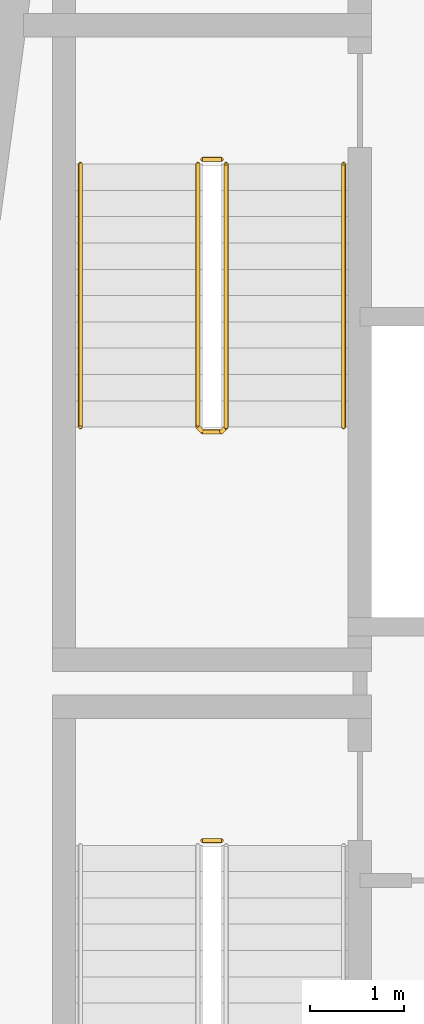
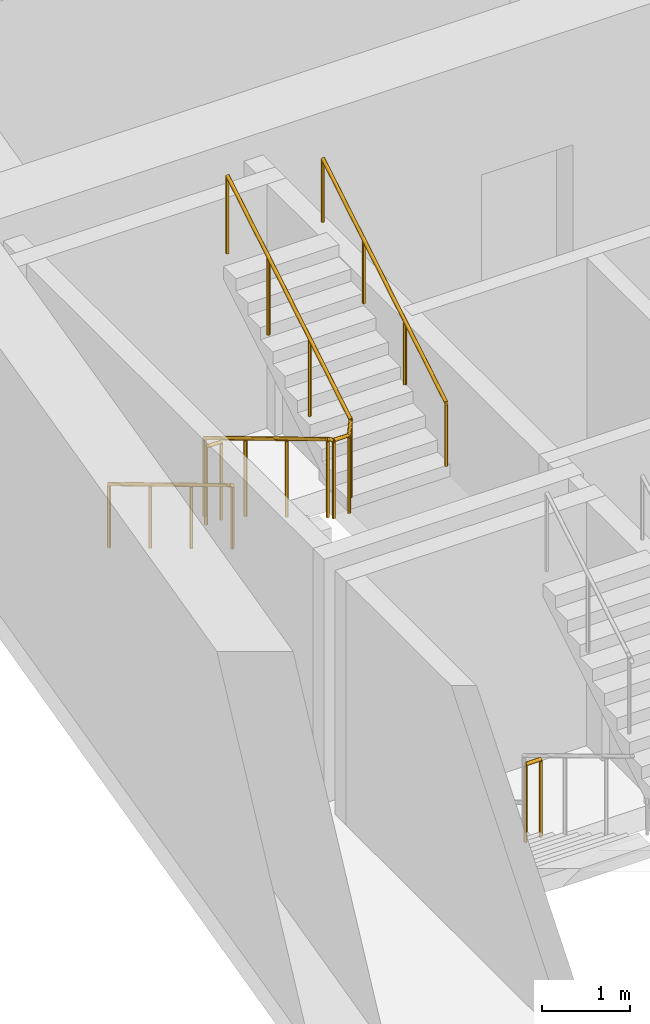
# One storey, part 10 of 13: 5 railings.
"""IFC4 building model written with IfcOpenShell, lengths in metres."""

from ifc_helpers import new_model, si_unit, direction, frame, origin, origin_2d, place, context, subcontext, project, spatial, circle, extrude, material, type_object, element, save


model = new_model("IFC4")

# Units and contexts
model_context = context("Model", 3, precision=1e-05, world=origin(), true_north=direction((0.0, 1.0)))
body_context = subcontext(model_context, "Body", "Model", "MODEL_VIEW")
ifc_project = project(units=[si_unit("LENGTHUNIT", "METRE"), si_unit("AREAUNIT", "SQUARE_METRE"), si_unit("VOLUMEUNIT", "CUBIC_METRE"), si_unit("PLANEANGLEUNIT", "RADIAN"), si_unit("MASSUNIT", "GRAM", prefix="KILO")], contexts=[model_context])

# Site, building, storey
site_placement = place(None, origin())
site = spatial("IfcSite", under=ifc_project, at=site_placement, CompositionType="ELEMENT")
building_placement = place(site_placement, origin())
building = spatial("IfcBuilding", under=site, at=building_placement, Name="Candeia Pilgrim Tower and Theatre", CompositionType="ELEMENT")
storey_placement = place(building_placement, frame((0.0, 0.0, 202.199951171875)))
storey = spatial("IfcBuildingStorey", under=building, at=storey_placement, Name="L48", CompositionType="ELEMENT", Elevation=202.199951171875)

# Railings
ifc_material_1 = material(Name="Stainless steel balustrade", Category="steel")
railing_type_1 = type_object("IfcRailingType", Name="RL-GUARD-1100", PredefinedType="GUARDRAIL", material=ifc_material_1)
railing_1_placement = place(storey_placement, frame((91.152099609375, 122.52490234375, 0.0)))
element("IfcRailing", 1, at=railing_1_placement, inside=storey, type_object=railing_type_1, Name="L48 ST1 stair guard 2", PredefinedType="GUARDRAIL", context=body_context, shape_type="SweptSolid", body=[
    extrude(circle(Radius=0.02392578125, at=origin_2d()), frame((0.0, 0.0, 1.076171875), z_axis=(1.0, 0.0, 0.0), x_axis=(0.0, 1.0, 0.0)), (0.0, 0.0, 1.0), 0.199951171875),
    extrude(circle(Radius=0.02099609375, at=origin_2d()), origin(), (0.0, 0.0, 1.0), 1.052001953125),
    extrude(circle(Radius=0.02099609375, at=origin_2d()), frame((0.199951171875, 0.0, 0.0)), (0.0, 0.0, 1.0), 1.052001953125),
])
railing_2_placement = place(storey_placement, frame((91.10205078125, 129.72509765625, 0.168212890625)))
element("IfcRailing", 2, at=railing_2_placement, inside=storey, type_object=railing_type_1, Name="L48 ST2 stair guard 1", PredefinedType="GUARDRAIL", context=body_context, shape_type="SweptSolid", body=[
    extrude(circle(Radius=0.02392578125, at=origin_2d()), frame((0.0, 0.0, 1.076171875), z_axis=(0.0, -0.857242210791, 0.514913383045), x_axis=(1.0, 0.0, 0.0)), (0.0, 0.0, 1.0), 3.266357421875),
    extrude(circle(Radius=0.02392578125, at=origin_2d()), frame((0.0, -2.800048828125, 2.7578125), z_axis=(0.707106781187, -0.707106781187, 0.0), x_axis=(0.707106781187, 0.707106781187, 0.0)), (0.0, 0.0, 1.0), 0.07080078125),
    extrude(circle(Radius=0.02392578125, at=origin_2d()), frame((0.050048828125, -2.85009765625, 2.7578125), z_axis=(1.0, 0.0, 0.0), x_axis=(0.0, 1.0, 0.0)), (0.0, 0.0, 1.0), 0.199951171875),
    extrude(circle(Radius=0.02392578125, at=origin_2d()), frame((0.25, -2.85009765625, 2.7578125), z_axis=(0.274243871929, 0.274243871929, 0.92172696468), x_axis=(-0.707106781187, 0.707106781187, 0.0)), (0.0, 0.0, 1.0), 0.1826171875),
    extrude(circle(Radius=0.02392578125, at=origin_2d()), frame((0.300048828125, -2.800048828125, 2.92626953125), z_axis=(0.0, 0.857275202839, 0.514858452973), x_axis=(-1.0, 0.0, 0.0)), (0.0, 0.0, 1.0), 3.26611328125),
    extrude(circle(Radius=0.02099609375, at=origin_2d()), origin(), (0.0, 0.0, 1.0), 1.052001953125),
    extrude(circle(Radius=0.02099609375, at=origin_2d()), frame((0.0, -0.933349609375, 0.560546875)), (0.0, 0.0, 1.0), 1.052001953125),
    extrude(circle(Radius=0.02099609375, at=origin_2d()), frame((0.0, -1.86669921875, 1.121337890625)), (0.0, 0.0, 1.0), 1.052001953125),
    extrude(circle(Radius=0.02099609375, at=origin_2d()), frame((0.0, -2.800048828125, 1.681884765625)), (0.0, 0.0, 1.0), 1.052001953125),
    extrude(circle(Radius=0.02099609375, at=origin_2d()), frame((0.050048828125, -2.85009765625, 1.681884765625)), (0.0, 0.0, 1.0), 1.052001953125),
    extrude(circle(Radius=0.02099609375, at=origin_2d()), frame((0.25, -2.85009765625, 1.681884765625)), (0.0, 0.0, 1.0), 1.052001953125),
    extrude(circle(Radius=0.02099609375, at=origin_2d()), frame((0.300048828125, -2.800048828125, 1.85009765625)), (0.0, 0.0, 1.0), 1.052001953125),
    extrude(circle(Radius=0.02099609375, at=origin_2d()), frame((0.300048828125, -1.86669921875, 2.41064453125)), (0.0, 0.0, 1.0), 1.052001953125),
    extrude(circle(Radius=0.02099609375, at=origin_2d()), frame((0.300048828125, -0.933349609375, 2.97119140625)), (0.0, 0.0, 1.0), 1.052001953125),
    extrude(circle(Radius=0.02099609375, at=origin_2d()), frame((0.300048828125, 0.0, 3.53173828125)), (0.0, 0.0, 1.0), 1.052001953125),
])
railing_3_placement = place(storey_placement, frame((91.152099609375, 129.77490234375, 0.0)))
element("IfcRailing", 3, at=railing_3_placement, inside=storey, type_object=railing_type_1, Name="L48 ST2 stair guard 2", PredefinedType="GUARDRAIL", context=body_context, shape_type="SweptSolid", body=[
    extrude(circle(Radius=0.02392578125, at=origin_2d()), frame((0.0, 0.0, 1.076171875), z_axis=(1.0, 0.0, 0.0), x_axis=(0.0, 1.0, 0.0)), (0.0, 0.0, 1.0), 0.199951171875),
    extrude(circle(Radius=0.02099609375, at=origin_2d()), origin(), (0.0, 0.0, 1.0), 1.052001953125),
    extrude(circle(Radius=0.02099609375, at=origin_2d()), frame((0.199951171875, 0.0, 0.0)), (0.0, 0.0, 1.0), 1.052001953125),
])
ifc_material_2 = material(Name="Stainless steel handrail", Category="steel")
railing_type_2 = type_object("IfcRailingType", Name="RL-HANDRAIL-900", PredefinedType="HANDRAIL", material=ifc_material_2)
railing_4_placement = place(storey_placement, frame((89.85205078125, 129.72509765625, 0.168212890625)))
element("IfcRailing", 4, at=railing_4_placement, inside=storey, type_object=railing_type_2, Name="L48 ST2 stair handrail 1", PredefinedType="HANDRAIL", context=body_context, shape_type="SweptSolid", body=[
    extrude(circle(Radius=0.02392578125, at=origin_2d()), frame((0.0, 0.0, 0.8759765625), z_axis=(0.0, -0.857242210791, 0.514913383045), x_axis=(1.0, 0.0, 0.0)), (0.0, 0.0, 1.0), 3.266357421875),
    extrude(circle(Radius=0.02099609375, at=origin_2d()), origin(), (0.0, 0.0, 1.0), 0.851806640625),
    extrude(circle(Radius=0.02099609375, at=origin_2d()), frame((0.0, -0.933349609375, 0.560546875)), (0.0, 0.0, 1.0), 0.851806640625),
    extrude(circle(Radius=0.02099609375, at=origin_2d()), frame((0.0, -1.86669921875, 1.121337890625)), (0.0, 0.0, 1.0), 0.851806640625),
    extrude(circle(Radius=0.02099609375, at=origin_2d()), frame((0.0, -2.800048828125, 1.681884765625)), (0.0, 0.0, 1.0), 0.851806640625),
])
railing_5_placement = place(storey_placement, frame((92.652099609375, 126.925048828125, 2.018310546875)))
element("IfcRailing", 5, at=railing_5_placement, inside=storey, type_object=railing_type_2, Name="L48 ST2 stair handrail 2", PredefinedType="HANDRAIL", context=body_context, shape_type="SweptSolid", body=[
    extrude(circle(Radius=0.02392578125, at=origin_2d()), frame((0.0, 0.0, 0.8759765625), z_axis=(0.0, 0.857275202839, 0.514858452973), x_axis=(-1.0, 0.0, 0.0)), (0.0, 0.0, 1.0), 3.26611328125),
    extrude(circle(Radius=0.02099609375, at=origin_2d()), origin(), (0.0, 0.0, 1.0), 0.851806640625),
    extrude(circle(Radius=0.02099609375, at=origin_2d()), frame((0.0, 0.933349609375, 0.560546875)), (0.0, 0.0, 1.0), 0.851806640625),
    extrude(circle(Radius=0.02099609375, at=origin_2d()), frame((0.0, 1.86669921875, 1.12109375)), (0.0, 0.0, 1.0), 0.851806640625),
    extrude(circle(Radius=0.02099609375, at=origin_2d()), frame((0.0, 2.800048828125, 1.681640625)), (0.0, 0.0, 1.0), 0.851806640625),
])

save(model, "model.ifc")
